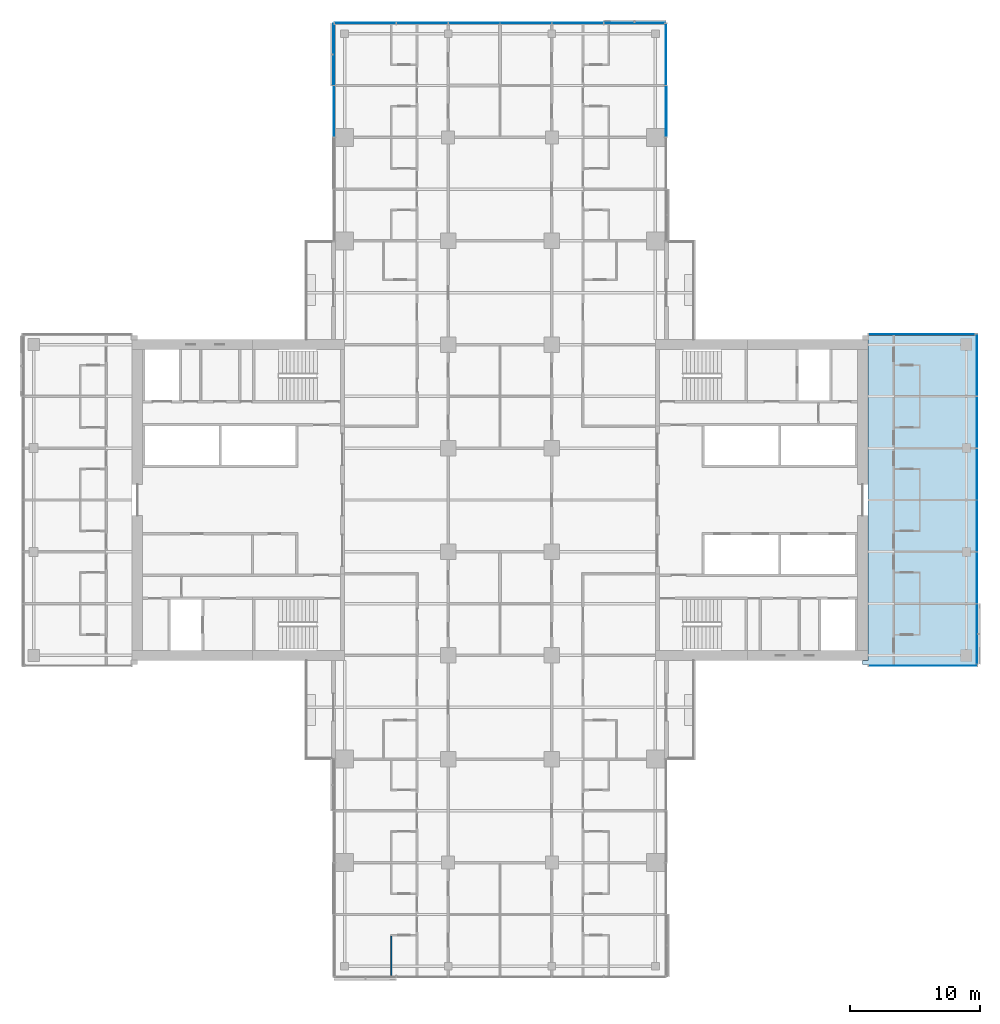
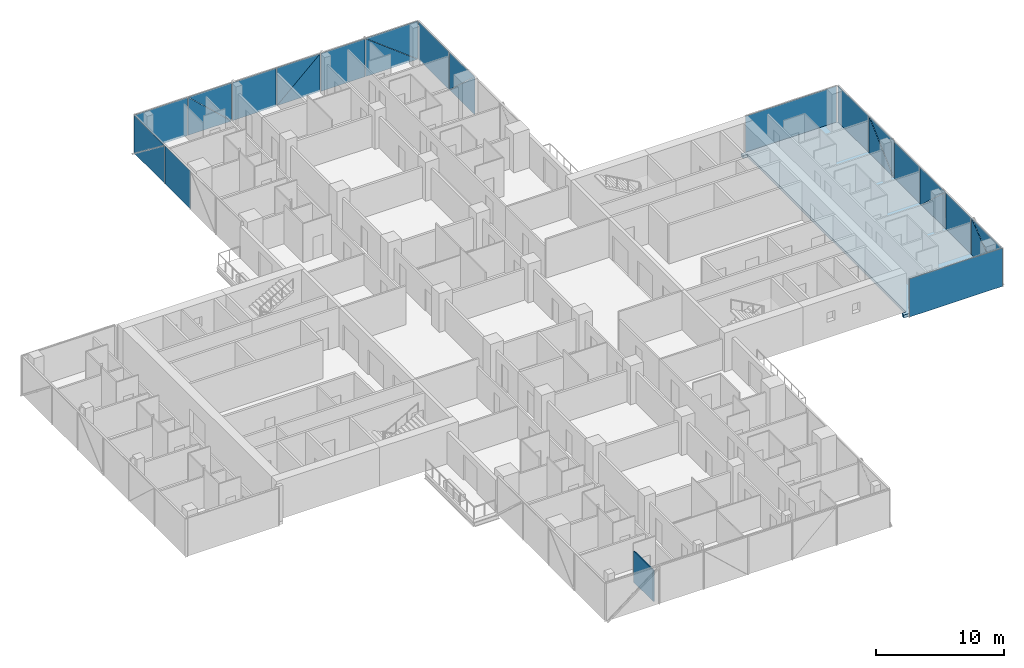
# One storey, part 14 of 29: 26 plates, 1 slab, 1 wall, 6 elements without a shape of their own.
"""IFC4 building model written with IfcOpenShell, lengths in metres."""

from ifc_helpers import new_model, si_unit, direction, frame, frame_2d, origin, place, context, subcontext, project, spatial, polyline, rectangle, outline, extrude, material, layer, layer_set, type_object, element, aggregate, save


model = new_model("IFC4")

# Units and contexts
model_context = context("Model", 3, precision=1e-05, world=origin(), true_north=direction((0.0, 1.0)))
body_context = subcontext(model_context, "Body", "Model", "MODEL_VIEW")
ifc_project = project(units=[si_unit("LENGTHUNIT", "METRE"), si_unit("AREAUNIT", "SQUARE_METRE"), si_unit("VOLUMEUNIT", "CUBIC_METRE"), si_unit("PLANEANGLEUNIT", "RADIAN"), si_unit("MASSUNIT", "GRAM", prefix="KILO")], contexts=[model_context])

# Site, building, storey
site_placement = place(None, origin())
site = spatial("IfcSite", under=ifc_project, at=site_placement, CompositionType="ELEMENT")
building_placement = place(site_placement, origin())
building = spatial("IfcBuilding", under=site, at=building_placement, Name="Crosswind Convention Tower", CompositionType="ELEMENT")
storey_placement = place(building_placement, frame((0.0, 0.0, 57.199951171875)))
storey = spatial("IfcBuildingStorey", under=building, at=storey_placement, Name="L08", CompositionType="ELEMENT", Elevation=57.199951171875)

# Slab
ifc_material_1 = material(Name="Concrete C40/50", Category="concrete")
ifc_layer_1 = layer(ifc_material_1, 0.280029296875)
ifc_layer_set_1 = layer_set([ifc_layer_1], Name="Concrete C40/50")
slab_type = type_object("IfcSlabType", Name="Composite floor slab 280", PredefinedType="FLOOR", material=ifc_layer_set_1)
slab_placement = place(storey_placement, frame((0.0, 0.0, -0.280029296875)))
element("IfcSlab", 1, at=slab_placement, inside=storey, type_object=slab_type, Name="Floor slab L08 part 3", PredefinedType="FLOOR", context=body_context, shape_type="SweptSolid", body=[
    extrude(outline(polyline([(153.0, 112.699951171875), (161.0, 112.699951171875), (161.699951171875, 112.699951171875), (161.699951171875, 112.0), (161.699951171875, 88.0), (161.699951171875, 87.300048828125), (161.0, 87.300048828125), (153.0, 87.300048828125), (153.0, 87.60009765625), (153.39990234375, 87.60009765625), (153.39990234375, 112.39990234375), (153.0, 112.39990234375), (153.0, 112.699951171875)])), origin(), (0.0, 0.0, 1.0), 0.280029296875),
])

# Curtain wall, plate
ifc_material_2 = material(Name="Aluminium unitised curtain wall", Category="aluminium")
curtain_wall_type_1 = type_object("IfcCurtainWallType", Name="CORE END SLOT WALL 160", PredefinedType="USERDEFINED", material=ifc_material_2)
curtain_wall_1_placement = place(storey_placement, origin())
curtain_wall_1 = element("IfcCurtainWall", 2, at=curtain_wall_1_placement, inside=storey, type_object=curtain_wall_type_1, Name="CW6 L08 E-N.1-1 slot", ObjectType="UNITISED", PredefinedType="USERDEFINED")
ifc_material_3 = material(Name="Laminated insulating glass unit", Category="glass")
ifc_layer_2 = layer(ifc_material_3, 0.02587890625)
ifc_layer_set_2 = layer_set([ifc_layer_2], Name="TRIANGULAR GLASS PANEL 26")
plate_type_1 = type_object("IfcPlateType", Name="TRIANGULAR GLASS PANEL 26", PredefinedType="CURTAIN_PANEL", material=ifc_layer_set_2)
plate_1_placement = place(storey_placement, frame((161.64990234375, 112.806640625, -0.280029296875), z_axis=(0.0, 0.999999919475, 0.000401310917), x_axis=(-1.0, 0.0, 0.0)))
plate_1 = element("IfcPlate", 3, at=plate_1_placement, type_object=plate_type_1, Name="CW6 panel 1.1", PredefinedType="CURTAIN_PANEL", context=body_context, shape_type="SweptSolid", body=[
    extrude(outline(polyline([(0.0, 0.0), (8.199951171875, 0.0), (8.199951171875, 3.650146778303906), (0.0, 3.650146778303906), (0.0, 0.0)])), origin(), (0.0, 0.0, -1.0), 0.02587890625),
])
aggregate(curtain_wall_1, [plate_1])

curtain_wall_2_placement = place(storey_placement, origin())
curtain_wall_2 = element("IfcCurtainWall", 4, at=curtain_wall_2_placement, inside=storey, type_object=curtain_wall_type_1, Name="CW6 L08 E-S.2-1 slot", ObjectType="UNITISED", PredefinedType="USERDEFINED")
plate_2_placement = place(storey_placement, frame((153.449951171875, 87.193359375, -0.280029296875), z_axis=(0.0, -0.999999919475, 0.000401310917), x_axis=(1.0, 0.0, 0.0)))
plate_2 = element("IfcPlate", 5, at=plate_2_placement, type_object=plate_type_1, Name="CW6 panel 1.1", PredefinedType="CURTAIN_PANEL", context=body_context, shape_type="SweptSolid", body=[
    extrude(outline(polyline([(0.0, 0.0), (8.400146484375, 0.0), (8.400146484375, 3.6501467783039057), (0.0, 3.6501467783039057), (0.0, 0.0)])), origin(), (0.0, 0.0, -1.0), 0.02587890625),
])
aggregate(curtain_wall_2, [plate_2])

# Curtain wall, plates
curtain_wall_type_2 = type_object("IfcCurtainWallType", Name="HOTEL UNITISED WALL 200", PredefinedType="USERDEFINED", material=ifc_material_2)
curtain_wall_3_placement = place(storey_placement, origin())
curtain_wall_3 = element("IfcCurtainWall", 6, at=curtain_wall_3_placement, inside=storey, type_object=curtain_wall_type_2, Name="CW2 L08 E-TIP 1", ObjectType="UNITISED", PredefinedType="USERDEFINED")
ifc_layer_3 = layer(ifc_material_3, 0.028076171875)
ifc_layer_set_3 = layer_set([ifc_layer_3], Name="TRIANGULAR GLASS PANEL 28")
plate_type_2 = type_object("IfcPlateType", Name="TRIANGULAR GLASS PANEL 28", PredefinedType="CURTAIN_PANEL", material=ifc_layer_set_3)
plate_3_placement = place(storey_placement, frame((161.82861328125, 91.967529296875, -0.280029296875), z_axis=(0.999999943217, 0.0, 0.00033699533), x_axis=(-0.00033699533, 0.0, 0.999999943217)))
plate_3 = element("IfcPlate", 7, at=plate_3_placement, type_object=plate_type_2, Name="CW2 panel 1.1", PredefinedType="CURTAIN_PANEL", context=body_context, shape_type="SweptSolid", body=[
    extrude(outline(polyline([(0.0, 0.0), (3.6223146588106325, 0.0), (0.0, 4.58642578125), (0.0, 0.0)])), origin(), (0.0, 0.0, -1.0), 0.028076171875),
])
plate_4_placement = place(storey_placement, frame((161.857177734375, 87.364990234375, 3.35498046875), z_axis=(0.999999918222, 0.0, 0.000404421644), x_axis=(0.000404421644, 0.0, -0.999999918222)))
plate_4 = element("IfcPlate", 8, at=plate_4_placement, type_object=plate_type_2, Name="CW2 panel 1.2", PredefinedType="CURTAIN_PANEL", context=body_context, shape_type="SweptSolid", body=[
    extrude(outline(polyline([(0.0, 0.0), (3.6220706087072707, 0.0), (0.0, 4.586425781249999), (0.0, 0.0)])), origin(), (0.0, 0.0, -1.0), 0.028076171875),
])
plate_5_placement = place(storey_placement, frame((161.82861328125, 92.032470703125, -0.280029296875), z_axis=(0.999999943613, 0.0, 0.00033581837), x_axis=(0.0, 1.0, 0.0)))
plate_5 = element("IfcPlate", 9, at=plate_5_placement, type_object=plate_type_2, Name="CW2 panel 2.1", PredefinedType="CURTAIN_PANEL", context=body_context, shape_type="SweptSolid", body=[
    extrude(outline(polyline([(0.0, 0.0), (3.93505859375, 0.0), (3.93505859375, 3.635009970592273), (0.0, 3.635009970592273), (0.0, 0.0)])), origin(), (0.0, 0.0, -1.0), 0.028076171875),
])
plate_6_placement = place(storey_placement, frame((161.827392578125, 99.967529296875, 3.35498046875), z_axis=(0.999999943186, 0.0, 0.000337086208), x_axis=(0.0, -1.0, 0.0)))
plate_6 = element("IfcPlate", 10, at=plate_6_placement, type_object=plate_type_2, Name="CW2 panel 3.1", PredefinedType="CURTAIN_PANEL", context=body_context, shape_type="SweptSolid", body=[
    extrude(outline(polyline([(0.0, 0.0), (3.92041015625, 0.0), (0.0, 3.6213380963660997), (0.0, 0.0)])), origin(), (0.0, 0.0, -1.0), 0.028076171875),
])
plate_7_placement = place(storey_placement, frame((161.858642578125, 96.032470703125, -0.280029296875), z_axis=(0.9999999182, 0.0, 0.00040447617), x_axis=(0.0, 1.0, 0.0)))
plate_7 = element("IfcPlate", 11, at=plate_7_placement, type_object=plate_type_2, Name="CW2 panel 3.2", PredefinedType="CURTAIN_PANEL", context=body_context, shape_type="SweptSolid", body=[
    extrude(outline(polyline([(0.0, 0.0), (3.92041015625, 0.0), (0.0, 3.621582327497207), (0.0, 0.0)])), origin(), (0.0, 0.0, -1.0), 0.028076171875),
])
plate_8_placement = place(storey_placement, frame((161.82861328125, 100.032470703125, -0.280029296875), z_axis=(0.999999943613, 0.0, 0.00033581837), x_axis=(0.0, 1.0, 0.0)))
plate_8 = element("IfcPlate", 12, at=plate_8_placement, type_object=plate_type_2, Name="CW2 panel 4.1", PredefinedType="CURTAIN_PANEL", context=body_context, shape_type="SweptSolid", body=[
    extrude(outline(polyline([(0.0, 0.0), (3.93505859375, 0.0), (3.93505859375, 3.635009970592273), (0.0, 3.635009970592273), (0.0, 0.0)])), origin(), (0.0, 0.0, -1.0), 0.028076171875),
])
plate_9_placement = place(storey_placement, frame((161.82861328125, 107.967529296875, -0.280029296875), z_axis=(0.999999943194, 0.0, 0.000337063484), x_axis=(-0.000337063484, 0.0, 0.999999943194)))
plate_9 = element("IfcPlate", 13, at=plate_9_placement, type_object=plate_type_2, Name="CW2 panel 5.1", PredefinedType="CURTAIN_PANEL", context=body_context, shape_type="SweptSolid", body=[
    extrude(outline(polyline([(0.0, 0.0), (3.62158223697723, 0.0), (0.0, 3.920410156250001), (0.0, 0.0)])), origin(), (0.0, 0.0, -1.0), 0.028076171875),
])
plate_10_placement = place(storey_placement, frame((161.857177734375, 104.032470703125, 3.35498046875), z_axis=(0.999999918188, 0.0, 0.000404503439), x_axis=(0.000404503439, 0.0, -0.999999918188)))
plate_10 = element("IfcPlate", 14, at=plate_10_placement, type_object=plate_type_2, Name="CW2 panel 5.2", PredefinedType="CURTAIN_PANEL", context=body_context, shape_type="SweptSolid", body=[
    extrude(outline(polyline([(0.0, 0.0), (3.6213381868921797, 0.0), (0.0, 3.92041015625), (0.0, 0.0)])), origin(), (0.0, 0.0, -1.0), 0.028076171875),
])
plate_11_placement = place(storey_placement, frame((161.82861328125, 108.032470703125, -0.280029296875), z_axis=(0.999999943613, 0.0, 0.00033581837), x_axis=(0.0, 1.0, 0.0)))
plate_11 = element("IfcPlate", 15, at=plate_11_placement, type_object=plate_type_2, Name="CW2 panel 6.1", PredefinedType="CURTAIN_PANEL", context=body_context, shape_type="SweptSolid", body=[
    extrude(outline(polyline([(0.0, 0.0), (4.762451171875, 0.0), (4.762451171875, 3.635009970592273), (0.0, 3.635009970592273), (0.0, 0.0)])), origin(), (0.0, 0.0, -1.0), 0.028076171875),
])
aggregate(curtain_wall_3, [plate_3, plate_4, plate_5, plate_6, plate_7, plate_8, plate_9, plate_10, plate_11])

curtain_wall_4_placement = place(storey_placement, origin())
curtain_wall_4 = element("IfcCurtainWall", 16, at=curtain_wall_4_placement, inside=storey, type_object=curtain_wall_type_2, Name="CW2 L08 N-E 1", ObjectType="UNITISED", PredefinedType="USERDEFINED")
plate_12_placement = place(storey_placement, frame((137.827392578125, 131.967529296875, 3.35498046875), z_axis=(0.999999943186, 0.0, 0.000337086208), x_axis=(0.0, -1.0, 0.0)))
plate_12 = element("IfcPlate", 17, at=plate_12_placement, type_object=plate_type_2, Name="CW2 panel 3.1", PredefinedType="CURTAIN_PANEL", context=body_context, shape_type="SweptSolid", body=[
    extrude(outline(polyline([(0.0, 0.0), (3.92041015625, 0.0), (0.0, 3.6213380963660997), (0.0, 0.0)])), origin(), (0.0, 0.0, -1.0), 0.028076171875),
])
plate_13_placement = place(storey_placement, frame((137.858642578125, 128.032470703125, -0.280029296875), z_axis=(0.9999999182, 0.0, 0.00040447617), x_axis=(0.0, 1.0, 0.0)))
plate_13 = element("IfcPlate", 18, at=plate_13_placement, type_object=plate_type_2, Name="CW2 panel 3.2", PredefinedType="CURTAIN_PANEL", context=body_context, shape_type="SweptSolid", body=[
    extrude(outline(polyline([(0.0, 0.0), (3.92041015625, 0.0), (0.0, 3.621582327497207), (0.0, 0.0)])), origin(), (0.0, 0.0, -1.0), 0.028076171875),
])
plate_14_placement = place(storey_placement, frame((137.82861328125, 132.032470703125, -0.280029296875), z_axis=(0.999999943613, 0.0, 0.00033581837), x_axis=(0.0, 1.0, 0.0)))
plate_14 = element("IfcPlate", 19, at=plate_14_placement, type_object=plate_type_2, Name="CW2 panel 4.1", PredefinedType="CURTAIN_PANEL", context=body_context, shape_type="SweptSolid", body=[
    extrude(outline(polyline([(0.0, 0.0), (4.735107421875, 0.0), (4.735107421875, 3.6350099705922725), (0.0, 3.6350099705922725), (0.0, 0.0)])), origin(), (0.0, 0.0, -1.0), 0.028076171875),
])
aggregate(curtain_wall_4, [plate_12, plate_13, plate_14])

curtain_wall_5_placement = place(storey_placement, origin())
curtain_wall_5 = element("IfcCurtainWall", 20, at=curtain_wall_5_placement, inside=storey, type_object=curtain_wall_type_2, Name="CW2 L08 N-TIP 1", ObjectType="UNITISED", PredefinedType="USERDEFINED")
plate_15_placement = place(storey_placement, frame((133.032470703125, 136.82861328125, -0.280029296875), z_axis=(0.0, 0.999999943225, 0.000336972619), x_axis=(0.0, -0.000336972619, 0.999999943225)))
plate_15 = element("IfcPlate", 21, at=plate_15_placement, type_object=plate_type_2, Name="CW2 panel 1.1", PredefinedType="CURTAIN_PANEL", context=body_context, shape_type="SweptSolid", body=[
    extrude(outline(polyline([(0.0, 0.0), (3.6225587994217703, 0.0), (0.0, 4.718505859374999), (0.0, 0.0)])), origin(), (0.0, 0.0, -1.0), 0.028076171875),
])
plate_16_placement = place(storey_placement, frame((137.767578125, 136.857177734375, 3.35498046875), z_axis=(0.0, 0.999999918233, 0.000404394386), x_axis=(0.0, 0.000404394386, -0.999999918233)))
plate_16 = element("IfcPlate", 22, at=plate_16_placement, type_object=plate_type_2, Name="CW2 panel 1.2", PredefinedType="CURTAIN_PANEL", context=body_context, shape_type="SweptSolid", body=[
    extrude(outline(polyline([(0.0, 0.0), (3.6223147493123067, 0.0), (0.0, 4.71875), (0.0, 0.0)])), origin(), (0.0, 0.0, -1.0), 0.028076171875),
])
plate_17_placement = place(storey_placement, frame((132.967529296875, 136.82861328125, -0.280029296875), z_axis=(0.0, 0.999999943613, 0.00033581837), x_axis=(-1.0, 0.0, 0.0)))
plate_17 = element("IfcPlate", 23, at=plate_17_placement, type_object=plate_type_2, Name="CW2 panel 2.1", PredefinedType="CURTAIN_PANEL", context=body_context, shape_type="SweptSolid", body=[
    extrude(outline(polyline([(0.0, 0.0), (3.93505859375, 0.0), (3.93505859375, 3.635009970592273), (0.0, 3.635009970592273), (0.0, 0.0)])), origin(), (0.0, 0.0, -1.0), 0.028076171875),
])
plate_18_placement = place(storey_placement, frame((125.032470703125, 136.827392578125, 3.35498046875), z_axis=(0.0, 0.999999943186, 0.000337086208), x_axis=(1.0, 0.0, 0.0)))
plate_18 = element("IfcPlate", 24, at=plate_18_placement, type_object=plate_type_2, Name="CW2 panel 3.1", PredefinedType="CURTAIN_PANEL", context=body_context, shape_type="SweptSolid", body=[
    extrude(outline(polyline([(0.0, 0.0), (3.92041015625, 0.0), (0.0, 3.6213380963660997), (0.0, 0.0)])), origin(), (0.0, 0.0, -1.0), 0.028076171875),
])
plate_19_placement = place(storey_placement, frame((128.967529296875, 136.858642578125, -0.280029296875), z_axis=(0.0, 0.9999999182, 0.00040447617), x_axis=(-1.0, 0.0, 0.0)))
plate_19 = element("IfcPlate", 25, at=plate_19_placement, type_object=plate_type_2, Name="CW2 panel 3.2", PredefinedType="CURTAIN_PANEL", context=body_context, shape_type="SweptSolid", body=[
    extrude(outline(polyline([(0.0, 0.0), (3.92041015625, 0.0), (0.0, 3.621582327497207), (0.0, 0.0)])), origin(), (0.0, 0.0, -1.0), 0.028076171875),
])
plate_20_placement = place(storey_placement, frame((124.967529296875, 136.82861328125, -0.280029296875), z_axis=(0.0, 0.999999943613, 0.00033581837), x_axis=(-1.0, 0.0, 0.0)))
plate_20 = element("IfcPlate", 26, at=plate_20_placement, type_object=plate_type_2, Name="CW2 panel 4.1", PredefinedType="CURTAIN_PANEL", context=body_context, shape_type="SweptSolid", body=[
    extrude(outline(polyline([(0.0, 0.0), (3.93505859375, 0.0), (3.93505859375, 3.635009970592273), (0.0, 3.635009970592273), (0.0, 0.0)])), origin(), (0.0, 0.0, -1.0), 0.028076171875),
])
plate_21_placement = place(storey_placement, frame((117.032470703125, 136.82861328125, -0.280029296875), z_axis=(0.0, 0.999999943194, 0.000337063484), x_axis=(0.0, -0.000337063484, 0.999999943194)))
plate_21 = element("IfcPlate", 27, at=plate_21_placement, type_object=plate_type_2, Name="CW2 panel 5.1", PredefinedType="CURTAIN_PANEL", context=body_context, shape_type="SweptSolid", body=[
    extrude(outline(polyline([(0.0, 0.0), (3.62158223697723, 0.0), (0.0, 3.920410156250001), (0.0, 0.0)])), origin(), (0.0, 0.0, -1.0), 0.028076171875),
])
plate_22_placement = place(storey_placement, frame((120.967529296875, 136.857177734375, 3.35498046875), z_axis=(0.0, 0.999999918188, 0.000404503439), x_axis=(0.0, 0.000404503439, -0.999999918188)))
plate_22 = element("IfcPlate", 28, at=plate_22_placement, type_object=plate_type_2, Name="CW2 panel 5.2", PredefinedType="CURTAIN_PANEL", context=body_context, shape_type="SweptSolid", body=[
    extrude(outline(polyline([(0.0, 0.0), (3.6213381868921797, 0.0), (0.0, 3.92041015625), (0.0, 0.0)])), origin(), (0.0, 0.0, -1.0), 0.028076171875),
])
plate_23_placement = place(storey_placement, frame((116.967529296875, 136.82861328125, -0.280029296875), z_axis=(0.0, 0.999999943613, 0.00033581837), x_axis=(-1.0, 0.0, 0.0)))
plate_23 = element("IfcPlate", 29, at=plate_23_placement, type_object=plate_type_2, Name="CW2 panel 6.1", PredefinedType="CURTAIN_PANEL", context=body_context, shape_type="SweptSolid", body=[
    extrude(outline(polyline([(0.0, 0.0), (4.735107421875, 0.0), (4.735107421875, 3.6350099705922725), (0.0, 3.6350099705922725), (0.0, 0.0)])), origin(), (0.0, 0.0, -1.0), 0.028076171875),
])
aggregate(curtain_wall_5, [plate_15, plate_16, plate_17, plate_18, plate_19, plate_20, plate_21, plate_22, plate_23])

curtain_wall_6_placement = place(storey_placement, origin())
curtain_wall_6 = element("IfcCurtainWall", 30, at=curtain_wall_6_placement, inside=storey, type_object=curtain_wall_type_2, Name="CW2 L08 N-W 1", ObjectType="UNITISED", PredefinedType="USERDEFINED")
plate_24_placement = place(storey_placement, frame((112.17138671875, 132.032470703125, -0.280029296875), z_axis=(-0.999999943225, 0.0, 0.000336972619), x_axis=(0.000336972619, 0.0, 0.999999943225)))
plate_24 = element("IfcPlate", 31, at=plate_24_placement, type_object=plate_type_2, Name="CW2 panel 1.1", PredefinedType="CURTAIN_PANEL", context=body_context, shape_type="SweptSolid", body=[
    extrude(outline(polyline([(0.0, 0.0), (3.6225587994217703, 0.0), (0.0, 4.718505859374999), (0.0, 0.0)])), origin(), (0.0, 0.0, -1.0), 0.028076171875),
])
plate_25_placement = place(storey_placement, frame((112.142822265625, 136.767578125, 3.35498046875), z_axis=(-0.999999918233, 0.0, 0.000404394386), x_axis=(-0.000404394386, 0.0, -0.999999918233)))
plate_25 = element("IfcPlate", 32, at=plate_25_placement, type_object=plate_type_2, Name="CW2 panel 1.2", PredefinedType="CURTAIN_PANEL", context=body_context, shape_type="SweptSolid", body=[
    extrude(outline(polyline([(0.0, 0.0), (3.6223147493123067, 0.0), (0.0, 4.71875), (0.0, 0.0)])), origin(), (0.0, 0.0, -1.0), 0.028076171875),
])
plate_26_placement = place(storey_placement, frame((112.17138671875, 131.967529296875, -0.280029296875), z_axis=(-0.999999943613, 0.0, 0.00033581837), x_axis=(0.0, -1.0, 0.0)))
plate_26 = element("IfcPlate", 33, at=plate_26_placement, type_object=plate_type_2, Name="CW2 panel 2.1", PredefinedType="CURTAIN_PANEL", context=body_context, shape_type="SweptSolid", body=[
    extrude(outline(polyline([(0.0, 0.0), (3.93505859375, 0.0), (3.93505859375, 3.635009970592273), (0.0, 3.635009970592273), (0.0, 0.0)])), origin(), (0.0, 0.0, -1.0), 0.028076171875),
])
aggregate(curtain_wall_6, [plate_24, plate_25, plate_26])

# Wall
ifc_material_4 = material(Name="Water-resistant plasterboard partition", Category="gypsum")
ifc_layer_4 = layer(ifc_material_4, 0.10009765625)
ifc_layer_set_4 = layer_set([ifc_layer_4], Name="WET ROOM PARTITION 100")
wall_type = type_object("IfcWallType", Name="WET ROOM PARTITION 100", PredefinedType="PLUMBINGWALL", material=ifc_layer_set_4)
wall_placement = place(storey_placement, frame((116.60009765625, 63.300048828125, 0.0), z_axis=(0.0, 0.0, 1.0), x_axis=(0.0, 1.0, 0.0)))
element("IfcWall", 34, at=wall_placement, inside=storey, type_object=wall_type, Name="Wet Room Partition 95", PredefinedType="PLUMBINGWALL", context=body_context, shape_type="SweptSolid", body=[
    extrude(rectangle(XDim=3.050048828125, YDim=0.10009765625, at=frame_2d((1.52490234375, 0.0))), origin(), (0.0, 0.0, 1.0), 2.962890625),
])

save(model, "model.ifc")
